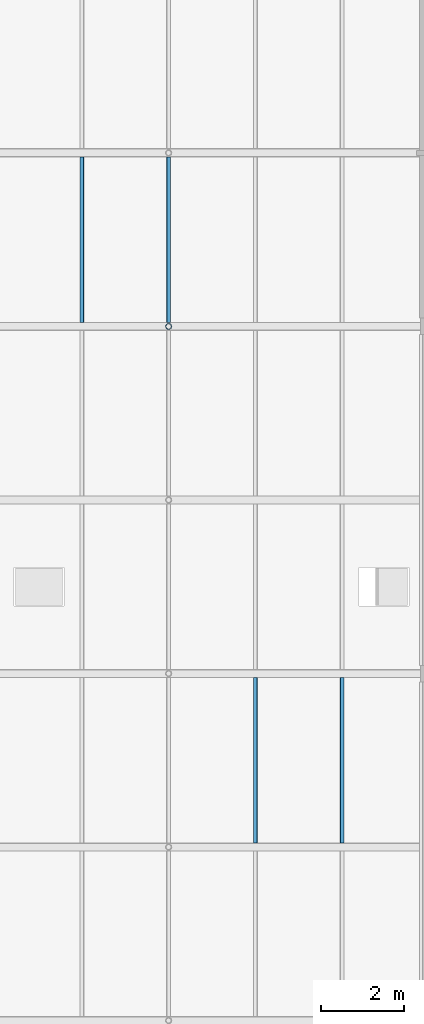
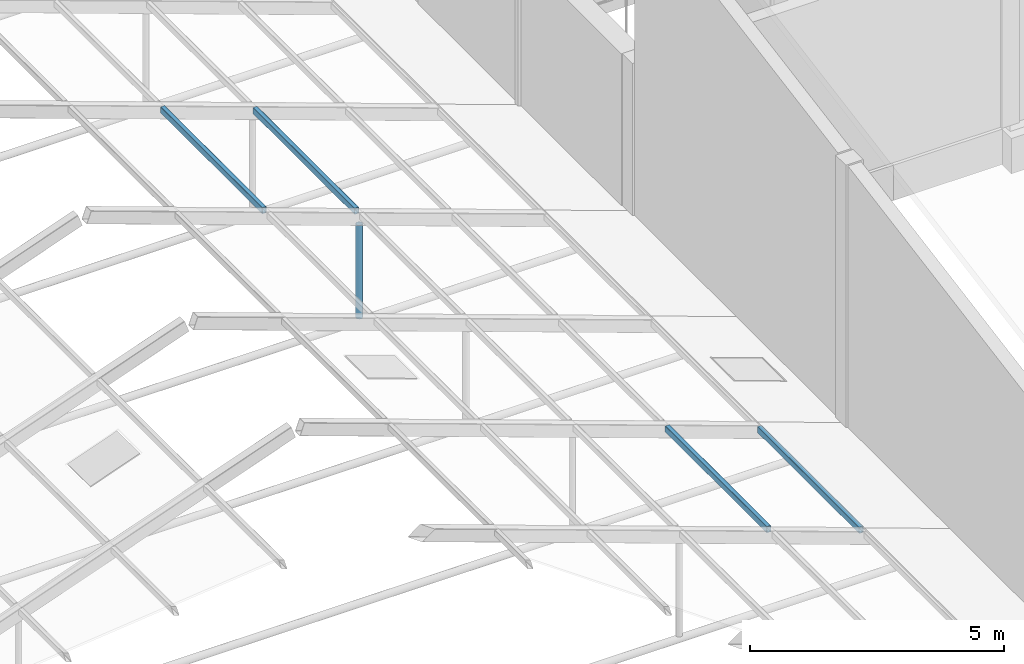
# One storey, part 61 of 116: 5 members.
"""IFC4 building model written with IfcOpenShell, lengths in metres."""

from ifc_helpers import new_model, si_unit, direction, frame, origin, origin_2d, place, context, subcontext, project, spatial, hollow_rectangle, hollow_circle, extrude, material, material_profile, profile_set, type_object, element, save


model = new_model("IFC4")

# Units and contexts
model_context = context("Model", 3, precision=1e-05, world=origin(), true_north=direction((0.0, 1.0)))
body_context = subcontext(model_context, "Body", "Model", "MODEL_VIEW")
ifc_project = project(units=[si_unit("LENGTHUNIT", "METRE"), si_unit("AREAUNIT", "SQUARE_METRE"), si_unit("VOLUMEUNIT", "CUBIC_METRE"), si_unit("PLANEANGLEUNIT", "RADIAN"), si_unit("MASSUNIT", "GRAM", prefix="KILO")], contexts=[model_context])

# Site, building, storey
site_placement = place(None, origin())
site = spatial("IfcSite", under=ifc_project, at=site_placement, CompositionType="ELEMENT")
building_placement = place(site_placement, origin())
building = spatial("IfcBuilding", under=site, at=building_placement, Name="Fescue Hill Polytechnic", CompositionType="ELEMENT")
storey_placement = place(building_placement, frame((0.0, 0.0, 13.5)))
storey = spatial("IfcBuildingStorey", under=building, at=storey_placement, Name="L03", CompositionType="ELEMENT", Elevation=13.5)

# Members
ifc_material = material(Name="Steel 350W (350 MPa)", Category="steel")
ifc_material_profile_1 = material_profile(ifc_material, hollow_rectangle(XDim=0.1015625, YDim=0.15234375, WallThickness=0.00634765625, InnerFilletRadius=0.00634765625, OuterFilletRadius=0.0126953125, at=origin_2d()), Name="Winter garden glazing purlin HSS 152x102x6.4")
ifc_profile_set_1 = profile_set([ifc_material_profile_1], Name="Steel 350W (350 MPa)")
member_type_1 = type_object("IfcMemberType", Name="Winter garden glazing purlin HSS 152x102x6.4", PredefinedType="PURLIN", material=ifc_profile_set_1)
for number, where, z_axis, x_axis, name in (
    (1, (115.5, 79.901611328125, 1.41455078125), (0.0, 1.0, 0.0), (-1.0, 0.0, 0.0), "Winter garden glazing purlin E1 bay 8"),
    (2, (113.400146484375, 79.901611328125, 2.164306640625), (0.0, 1.0, 0.0), (-1.0, 0.0, 0.0), "Winter garden glazing purlin E2 bay 8"),
):
    element("IfcMember", number, at=place(storey_placement, frame(where, z_axis=z_axis, x_axis=x_axis)), inside=storey, type_object=member_type_1, Name=name, PredefinedType="PURLIN", context=body_context, shape_type="SweptSolid", body=[
        extrude(hollow_rectangle(XDim=0.1015625, YDim=0.15234375, WallThickness=0.00634765625, InnerFilletRadius=0.00634765625, OuterFilletRadius=0.0126953125, at=origin_2d()), origin(), (0.0, 0.0, 1.0), 3.996826171875),
    ])
for number, where, z_axis, x_axis, name in (
    (3, (111.30029296875, 92.501708984375, 2.914306640625), (0.0, 1.0, 0.0), (-1.0, 0.0, 0.0), "Winter garden glazing purlin E3 bay 11"),
    (4, (109.200439453125, 92.501708984375, 3.664306640625), (0.0, 1.0, 0.0), (-1.0, 0.0, 0.0), "Winter garden glazing purlin E4 bay 11"),
):
    element("IfcMember", number, at=place(storey_placement, frame(where, z_axis=z_axis, x_axis=x_axis)), inside=storey, type_object=member_type_1, Name=name, PredefinedType="PURLIN", context=body_context, shape_type="SweptSolid", body=[
        extrude(hollow_rectangle(XDim=0.1015625, YDim=0.15234375, WallThickness=0.00634765625, InnerFilletRadius=0.00634765625, OuterFilletRadius=0.0126953125, at=origin_2d()), origin(), (0.0, 0.0, 1.0), 3.99658203125),
    ])
ifc_material_profile_2 = material_profile(ifc_material, hollow_circle(Radius=0.070556640625, WallThickness=0.00634765625, at=origin_2d()), Name="Winter garden queen post CHS 141x6.4")
ifc_profile_set_2 = profile_set([ifc_material_profile_2], Name="Steel 350W (350 MPa)")
member_type_2 = type_object("IfcMemberType", Name="Winter garden queen post CHS 141x6.4", PredefinedType="POST", material=ifc_profile_set_2)
member_placement = place(storey_placement, frame((111.300048828125, 92.39990234375, 0.4169921875), z_axis=(0.0, 0.0, 1.0), x_axis=(1.0, 0.0, 0.0)))
element("IfcMember", 5, at=member_placement, inside=storey, type_object=member_type_2, Name="Winter garden queen post 11B", PredefinedType="POST", context=body_context, shape_type="SweptSolid", body=[
    extrude(hollow_circle(Radius=0.070556640625, WallThickness=0.00634765625, at=origin_2d()), origin(), (0.0, 0.0, 1.0), 2.25),
])

save(model, "model.ifc")
